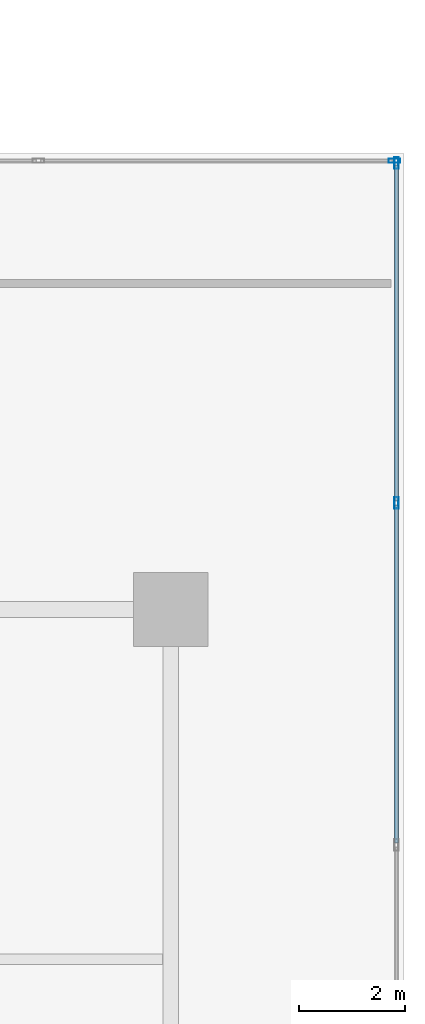
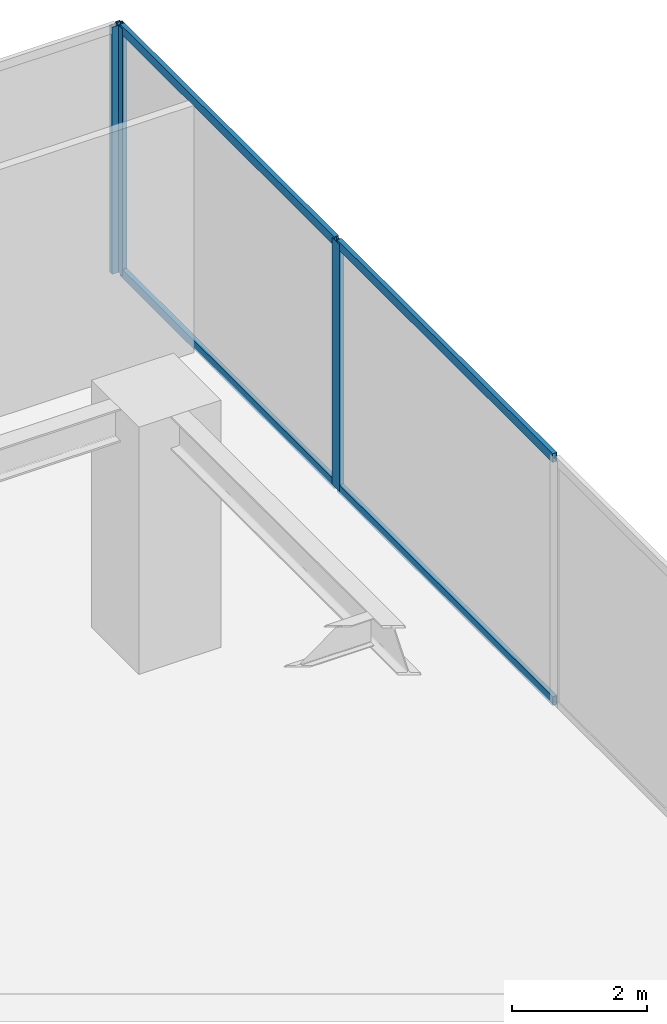
# One storey, part 10 of 16: 7 members, 2 elements without a shape of their own.
"""IFC4 building model written with IfcOpenShell, lengths in metres."""

from ifc_helpers import new_model, si_unit, direction, frame, origin, origin_with_axes, origin_2d, place, context, subcontext, project, spatial, hollow_rectangle, extrude, source, transform, mapped, material, layer, layer_set, material_profile, profile_set, type_object, element, aggregate, save


model = new_model("IFC4")

# Units and contexts
model_context = context("Model", 3, precision=1e-05, world=origin(), true_north=direction((0.0, 1.0)))
body_context = subcontext(model_context, "Body", "Model", "MODEL_VIEW")
ifc_project = project(units=[si_unit("LENGTHUNIT", "METRE"), si_unit("AREAUNIT", "SQUARE_METRE"), si_unit("VOLUMEUNIT", "CUBIC_METRE"), si_unit("PLANEANGLEUNIT", "RADIAN"), si_unit("MASSUNIT", "GRAM", prefix="KILO")], contexts=[model_context])

# Site, building, storey
site_placement = place(None, origin())
site = spatial("IfcSite", under=ifc_project, at=site_placement, CompositionType="ELEMENT")
building_placement = place(site_placement, origin())
building = spatial("IfcBuilding", under=site, at=building_placement, Name="Kolvaren Waterfront Exchange", CompositionType="ELEMENT")
storey_placement = place(building_placement, frame((0.0, 0.0, 20.0)))
storey = spatial("IfcBuildingStorey", under=building, at=storey_placement, Name="L05", CompositionType="ELEMENT", Elevation=20.0)

# Curtain wall, members
ifc_material_1 = material(Name="Anodised bronze aluminium 6063-T6", Category="aluminium")
ifc_layer = layer(ifc_material_1, 0.219970703125, Name="Anodised bronze aluminium 6063-T6")
ifc_layer_set = layer_set([ifc_layer], Name="Anodised bronze aluminium 6063-T6")
curtain_wall_type = type_object("IfcCurtainWallType", Name="ARC-CW-SYS4", PredefinedType="USERDEFINED", material=ifc_layer_set)
curtain_wall_1_placement = place(storey_placement, origin())
curtain_wall_1 = element("IfcCurtainWall", 1, at=curtain_wall_1_placement, inside=storey, type_object=curtain_wall_type, Name="L05 stick curtain wall CW4 (CW-L05-E1)", ObjectType="STICK CURTAIN WALL", PredefinedType="USERDEFINED")
ifc_material_2 = material(Name="Anodised aluminium 6063-T6", Category="aluminium")
ifc_material_profile_1 = material_profile(ifc_material_2, hollow_rectangle(XDim=0.080078125, YDim=0.219970703125, WallThickness=0.0048828125, at=origin_2d()), Name="ALU-MUL-220x80x5")
ifc_profile_set_1 = profile_set([ifc_material_profile_1], Name="Anodised aluminium 6063-T6")
member_type_1 = type_object("IfcMemberType", Name="ARC-CWM-220", PredefinedType="MULLION", material=ifc_profile_set_1)
shared_shape_1 = source(origin_with_axes(), body_context, "Body", "SweptSolid", [
    extrude(hollow_rectangle(XDim=0.080078125, YDim=0.219970703125, WallThickness=0.0048828125, at=origin_2d()), origin(), (0.0, 0.0, 1.0), 4.4599609375),
])
member_1_placement = place(storey_placement, frame((64.659912109375, 32.6083984375, 0.0), z_axis=(0.0, 0.0, 1.0), x_axis=(-1.0, 0.0, 0.0)))
member_1 = element("IfcMember", 2, at=member_1_placement, type_object=member_type_1, Name="CW4 mullion 6", PredefinedType="MULLION", context=body_context, shape_type="MappedRepresentation", body=[
    mapped(shared_shape_1, transform((0.0, 0.0, 0.0), x_axis=(1.0, 0.0, 0.0), y_axis=(0.0, 1.0, 0.0), z_axis=(0.0, 0.0, 1.0), scale=1.0)),
])
member_2_placement = place(storey_placement, frame((64.659912109375, 39.02001953125, 0.0), z_axis=(0.0, 0.0, 1.0), x_axis=(-1.0, 0.0, 0.0)))
member_2 = element("IfcMember", 3, at=member_2_placement, type_object=member_type_1, Name="CW4 mullion 7", PredefinedType="MULLION", context=body_context, shape_type="MappedRepresentation", body=[
    mapped(shared_shape_1, transform((0.0, 0.0, 0.0), x_axis=(1.0, 0.0, 0.0), y_axis=(0.0, 1.0, 0.0), z_axis=(0.0, 0.0, 1.0), scale=1.0)),
])

# Curtain wall, member
curtain_wall_2_placement = place(storey_placement, origin())
curtain_wall_2 = element("IfcCurtainWall", 4, at=curtain_wall_2_placement, inside=storey, type_object=curtain_wall_type, Name="L05 stick curtain wall CW4 (CW-L05-E2)", ObjectType="STICK CURTAIN WALL", PredefinedType="USERDEFINED")
member_3_placement = place(storey_placement, frame((64.6201171875, 39.06005859375, 0.0), z_axis=(0.0, 0.0, 1.0), x_axis=(0.0, -1.0, 0.0)))
member_3 = element("IfcMember", 5, at=member_3_placement, type_object=member_type_1, Name="CW4 mullion 1", PredefinedType="MULLION", context=body_context, shape_type="MappedRepresentation", body=[
    mapped(shared_shape_1, transform((0.0, 0.0, 0.0), x_axis=(1.0, 0.0, 0.0), y_axis=(0.0, 1.0, 0.0), z_axis=(0.0, 0.0, 1.0), scale=1.0)),
])
aggregate(curtain_wall_2, [member_3])

# Member
ifc_material_profile_2 = material_profile(ifc_material_2, hollow_rectangle(XDim=0.074951171875, YDim=0.159912109375, WallThickness=0.00439453125, at=origin_2d()), Name="ALU-TRN-160x75x4.5")
ifc_profile_set_2 = profile_set([ifc_material_profile_2], Name="Anodised aluminium 6063-T6")
member_type_2 = type_object("IfcMemberType", Name="ARC-CWT-160", PredefinedType="USERDEFINED", material=ifc_profile_set_2)
shared_shape_2 = source(origin_with_axes(), body_context, "Body", "SweptSolid", [
    extrude(hollow_rectangle(XDim=0.074951171875, YDim=0.159912109375, WallThickness=0.00439453125, at=origin_2d()), origin(), (0.0, 0.0, 1.0), 6.37158203125),
])
member_4_placement = place(storey_placement, frame((64.659912109375, 26.19677734375, 0.03759765625), z_axis=(0.0, 1.0, 0.0), x_axis=(-1.0, 0.0, 0.0)))
member_4 = element("IfcMember", 6, at=member_4_placement, type_object=member_type_2, Name="CW4 transom 5.1", ObjectType="TRANSOM", PredefinedType="USERDEFINED", context=body_context, shape_type="MappedRepresentation", body=[
    mapped(shared_shape_2, transform((0.0, 0.0, 0.0), x_axis=(1.0, 0.0, 0.0), y_axis=(0.0, 1.0, 0.0), z_axis=(0.0, 0.0, 1.0), scale=1.0)),
])

member_5_placement = place(storey_placement, frame((64.659912109375, 26.19677734375, 4.422607421875), z_axis=(0.0, 1.0, 0.0), x_axis=(-1.0, 0.0, 0.0)))
member_5 = element("IfcMember", 7, at=member_5_placement, type_object=member_type_2, Name="CW4 transom 5.2", ObjectType="TRANSOM", PredefinedType="USERDEFINED", context=body_context, shape_type="MappedRepresentation", body=[
    mapped(shared_shape_2, transform((0.0, 0.0, 0.0), x_axis=(1.0, 0.0, 0.0), y_axis=(0.0, 1.0, 0.0), z_axis=(0.0, 0.0, 1.0), scale=1.0)),
])

shared_shape_3 = source(origin_with_axes(), body_context, "Body", "SweptSolid", [
    extrude(hollow_rectangle(XDim=0.074951171875, YDim=0.159912109375, WallThickness=0.00439453125, at=origin_2d()), origin(), (0.0, 0.0, 1.0), 6.33154296875),
])
member_6_placement = place(storey_placement, frame((64.659912109375, 32.6484375, 0.03759765625), z_axis=(0.0, 1.0, 0.0), x_axis=(-1.0, 0.0, 0.0)))
member_6 = element("IfcMember", 8, at=member_6_placement, type_object=member_type_2, Name="CW4 transom 6.1", ObjectType="TRANSOM", PredefinedType="USERDEFINED", context=body_context, shape_type="MappedRepresentation", body=[
    mapped(shared_shape_3, transform((0.0, 0.0, 0.0), x_axis=(1.0, 0.0, 0.0), y_axis=(0.0, 1.0, 0.0), z_axis=(0.0, 0.0, 1.0), scale=1.0)),
])

member_7_placement = place(storey_placement, frame((64.659912109375, 32.6484375, 4.422607421875), z_axis=(0.0, 1.0, 0.0), x_axis=(-1.0, 0.0, 0.0)))
member_7 = element("IfcMember", 9, at=member_7_placement, type_object=member_type_2, Name="CW4 transom 6.2", ObjectType="TRANSOM", PredefinedType="USERDEFINED", context=body_context, shape_type="MappedRepresentation", body=[
    mapped(shared_shape_3, transform((0.0, 0.0, 0.0), x_axis=(1.0, 0.0, 0.0), y_axis=(0.0, 1.0, 0.0), z_axis=(0.0, 0.0, 1.0), scale=1.0)),
])

aggregate(curtain_wall_1, [member_1, member_2, member_4, member_5, member_6, member_7])

save(model, "model.ifc")
